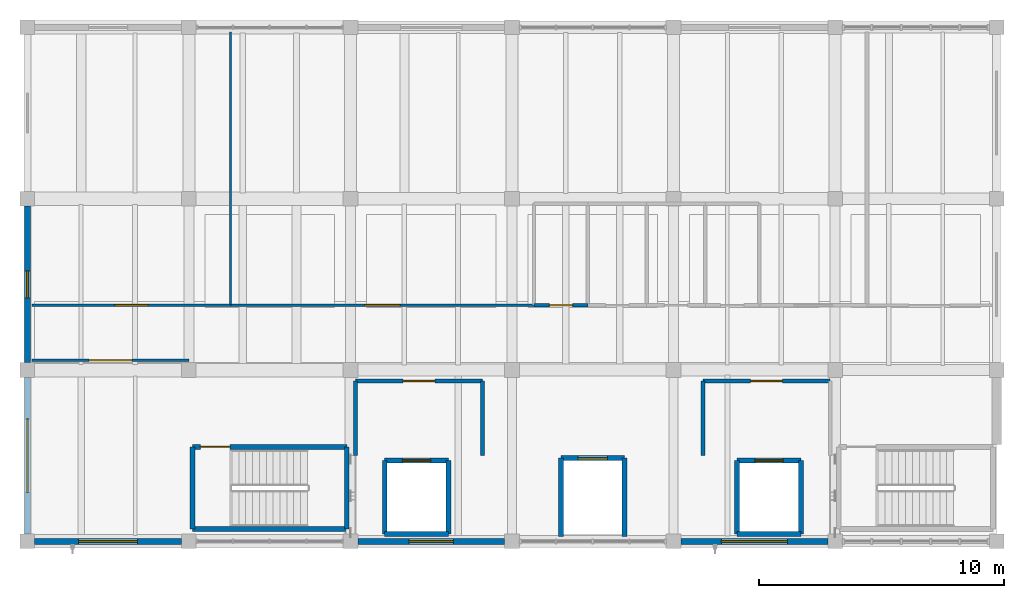
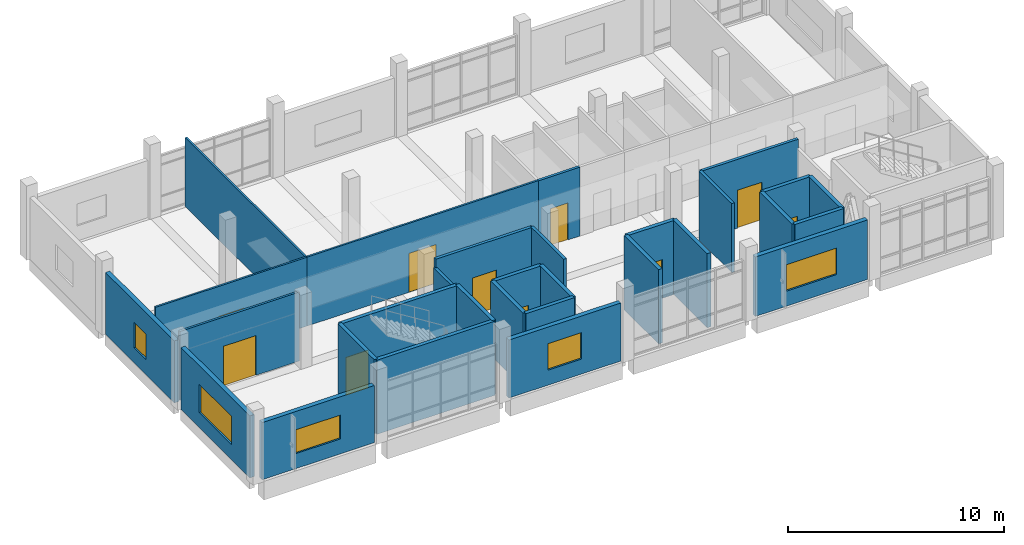
# One storey, part 9 of 14: 30 walls, 10 doors, 5 windows, 15 openings.
"""IFC4 building model written with IfcOpenShell, lengths in metres."""

from ifc_helpers import new_model, si_unit, direction, frame, frame_2d, origin, place, context, subcontext, project, spatial, rectangle, extrude, material, layer, layer_set, type_object, element, fill, save


model = new_model("IFC4")

# Units and contexts
model_context = context("Model", 3, precision=1e-05, world=origin(), true_north=direction((0.0, 1.0)))
body_context = subcontext(model_context, "Body", "Model", "MODEL_VIEW")
ifc_project = project(units=[si_unit("LENGTHUNIT", "METRE"), si_unit("AREAUNIT", "SQUARE_METRE"), si_unit("VOLUMEUNIT", "CUBIC_METRE"), si_unit("PLANEANGLEUNIT", "RADIAN"), si_unit("MASSUNIT", "GRAM", prefix="KILO")], contexts=[model_context])

# Site, building, storey
site_placement = place(None, origin())
site = spatial("IfcSite", under=ifc_project, at=site_placement, CompositionType="ELEMENT")
building_placement = place(site_placement, origin())
building = spatial("IfcBuilding", under=site, at=building_placement, Name="Ciguamira Faculty of Natural Sciences", CompositionType="ELEMENT")
storey_placement = place(building_placement, frame((0.0, 0.0, 33.60009765625)))
storey = spatial("IfcBuildingStorey", under=building, at=storey_placement, Name="L08", CompositionType="ELEMENT", Elevation=33.60009765625)

# Wall, opening, window
ifc_material_1 = material(Name="Precast concrete C40/50", Category="concrete")
ifc_layer_1 = layer(ifc_material_1, 0.239990234375, Name="Precast concrete C40/50")
ifc_layer_set_1 = layer_set([ifc_layer_1], Name="Precast concrete C40/50")
wall_type_1 = type_object("IfcWallType", Name="ExtWall_EW-02_240", PredefinedType="SOLIDWALL", material=ifc_layer_set_1)
wall_1_placement = place(storey_placement, frame((64.199951171875, 94.0, 0.0), z_axis=(0.0, 0.0, 1.0), x_axis=(1.0, 0.0, 0.0)))
wall_1 = element("IfcWall", 1, at=wall_1_placement, inside=storey, type_object=wall_type_1, Name="L08 exterior wall 0373", PredefinedType="SOLIDWALL", context=body_context, shape_type="SweptSolid", body=[
    extrude(rectangle(XDim=6.0, YDim=0.239990234375, at=frame_2d((3.0, 0.0))), origin(), (0.0, 0.0, 1.0), 3.23486328125),
])
opening_1_placement = place(wall_1_placement, frame((1.800048828125, 0.0, 0.85009765625)))
opening_1 = element("IfcOpeningElement", 2, at=opening_1_placement, cuts=wall_1, Name="Opening WT-07", PredefinedType="OPENING", context=body_context, shape_type="SweptSolid", body=[
    extrude(rectangle(XDim=2.39990234375, YDim=1.35009765625, at=frame_2d((1.199951171875, 0.675048828125))), frame((0.0, 0.1298828125, 0.0), z_axis=(0.0, -1.0, 0.0), x_axis=(1.0, 0.0, 0.0)), (0.0, 0.0, 1.0), 0.260009765625),
])
ifc_material_2 = material(Name="Hurricane laminated solar glass", Category="glass")
window_type_1 = type_object("IfcWindowType", Name="Window_WT-07_2400x1350", PartitioningType="DOUBLE_PANEL_VERTICAL", PredefinedType="WINDOW", material=ifc_material_2)
window_1_placement = place(opening_1_placement, origin())
window_1 = element("IfcWindow", 3, at=window_1_placement, inside=storey, type_object=window_type_1, Name="L08 facade window 0260", OverallHeight=1.35009765625, OverallWidth=2.39990234375, PartitioningType="SINGLE_PANEL", PredefinedType="WINDOW", context=body_context, shape_type="SweptSolid", body=[
    extrude(rectangle(XDim=2.39990234375, YDim=1.35009765625, at=frame_2d((1.199951171875, 0.675048828125))), frame((0.0, 0.030029296875, 0.0), z_axis=(0.0, -1.0, 0.0), x_axis=(1.0, 0.0, 0.0)), (0.0, 0.0, 1.0), 0.06005859375),
])
fill(opening_1, window_1)

wall_2_placement = place(storey_placement, frame((77.39990234375, 94.0, 0.0), z_axis=(0.0, 0.0, 1.0), x_axis=(1.0, 0.0, 0.0)))
wall_2 = element("IfcWall", 4, at=wall_2_placement, inside=storey, type_object=wall_type_1, Name="L08 exterior wall 0374", PredefinedType="SOLIDWALL", context=body_context, shape_type="SweptSolid", body=[
    extrude(rectangle(XDim=6.0, YDim=0.239990234375, at=frame_2d((3.0, 0.0))), origin(), (0.0, 0.0, 1.0), 3.284912109375),
])
opening_2_placement = place(wall_2_placement, frame((2.10009765625, 0.0, 0.85009765625)))
opening_2 = element("IfcOpeningElement", 5, at=opening_2_placement, cuts=wall_2, Name="Opening WT-10", PredefinedType="OPENING", context=body_context, shape_type="SweptSolid", body=[
    extrude(rectangle(XDim=1.800048828125, YDim=1.5, at=frame_2d((0.89990234375, 0.75))), frame((0.0, 0.1298828125, 0.0), z_axis=(0.0, -1.0, 0.0), x_axis=(1.0, 0.0, 0.0)), (0.0, 0.0, 1.0), 0.260009765625),
])
window_type_2 = type_object("IfcWindowType", Name="Window_WT-10_1800x1500", PartitioningType="DOUBLE_PANEL_VERTICAL", PredefinedType="WINDOW", material=ifc_material_2)
window_2_placement = place(opening_2_placement, origin())
window_2 = element("IfcWindow", 6, at=window_2_placement, inside=storey, type_object=window_type_2, Name="L08 facade window 0261", OverallHeight=1.5, OverallWidth=1.800048828125, PartitioningType="SINGLE_PANEL", PredefinedType="WINDOW", context=body_context, shape_type="SweptSolid", body=[
    extrude(rectangle(XDim=1.800048828125, YDim=1.5, at=frame_2d((0.89990234375, 0.75))), frame((0.0, 0.030029296875, 0.0), z_axis=(0.0, -1.0, 0.0), x_axis=(1.0, 0.0, 0.0)), (0.0, 0.0, 1.0), 0.06005859375),
])
fill(opening_2, window_2)

wall_3_placement = place(storey_placement, frame((90.60009765625, 94.0, 0.0), z_axis=(0.0, 0.0, 1.0), x_axis=(1.0, 0.0, 0.0)))
wall_3 = element("IfcWall", 7, at=wall_3_placement, inside=storey, type_object=wall_type_1, Name="L08 exterior wall 0375", PredefinedType="SOLIDWALL", context=body_context, shape_type="SweptSolid", body=[
    extrude(rectangle(XDim=6.0, YDim=0.239990234375, at=frame_2d((3.0, 0.0))), origin(), (0.0, 0.0, 1.0), 3.364990234375),
])
opening_3_placement = place(wall_3_placement, frame((1.64990234375, 0.0, 0.85009765625)))
opening_3 = element("IfcOpeningElement", 8, at=opening_3_placement, cuts=wall_3, Name="Opening WT-13", PredefinedType="OPENING", context=body_context, shape_type="SweptSolid", body=[
    extrude(rectangle(XDim=2.699951171875, YDim=1.5, at=frame_2d((1.35009765625, 0.75))), frame((0.0, 0.1298828125, 0.0), z_axis=(0.0, -1.0, 0.0), x_axis=(1.0, 0.0, 0.0)), (0.0, 0.0, 1.0), 0.260009765625),
])
window_type_3 = type_object("IfcWindowType", Name="Window_WT-13_2700x1500", PartitioningType="DOUBLE_PANEL_VERTICAL", PredefinedType="WINDOW", material=ifc_material_2)
window_3_placement = place(opening_3_placement, origin())
window_3 = element("IfcWindow", 9, at=window_3_placement, inside=storey, type_object=window_type_3, Name="L08 facade window 0262", OverallHeight=1.5, OverallWidth=2.699951171875, PartitioningType="SINGLE_PANEL", PredefinedType="WINDOW", context=body_context, shape_type="SweptSolid", body=[
    extrude(rectangle(XDim=2.699951171875, YDim=1.5, at=frame_2d((1.35009765625, 0.75))), frame((0.0, 0.030029296875, 0.0), z_axis=(0.0, -1.0, 0.0), x_axis=(1.0, 0.0, 0.0)), (0.0, 0.0, 1.0), 0.06005859375),
])
fill(opening_3, window_3)

wall_4_placement = place(storey_placement, frame((63.89990234375, 94.300048828125, 0.0), z_axis=(0.0, 0.0, 1.0), x_axis=(0.0, 1.0, 0.0)))
wall_4 = element("IfcWall", 10, at=wall_4_placement, inside=storey, type_object=wall_type_1, Name="L08 exterior wall 0379", PredefinedType="SOLIDWALL", context=body_context, shape_type="SweptSolid", body=[
    extrude(rectangle(XDim=6.39990234375, YDim=0.239990234375, at=frame_2d((3.199951171875, 0.0))), origin(), (0.0, 0.0, 1.0), 3.5048828125),
])
opening_4_placement = place(wall_4_placement, frame((1.699951171875, 0.0, 0.85009765625)))
opening_4 = element("IfcOpeningElement", 11, at=opening_4_placement, cuts=wall_4, Name="Opening WT-25", PredefinedType="OPENING", context=body_context, shape_type="SweptSolid", body=[
    extrude(rectangle(XDim=3.0, YDim=1.60009765625, at=frame_2d((1.5, 0.800048828125))), frame((0.0, 0.1298828125, 0.0), z_axis=(0.0, -1.0, 0.0), x_axis=(1.0, 0.0, 0.0)), (0.0, 0.0, 1.0), 0.260009765625),
])
window_type_4 = type_object("IfcWindowType", Name="Window_WT-25_3000x1600", PartitioningType="DOUBLE_PANEL_VERTICAL", PredefinedType="WINDOW", material=ifc_material_2)
window_4_placement = place(opening_4_placement, origin())
window_4 = element("IfcWindow", 12, at=window_4_placement, inside=storey, type_object=window_type_4, Name="L08 facade window 0266", OverallHeight=1.60009765625, OverallWidth=3.0, PartitioningType="SINGLE_PANEL", PredefinedType="WINDOW", context=body_context, shape_type="SweptSolid", body=[
    extrude(rectangle(XDim=3.0, YDim=1.60009765625, at=frame_2d((1.5, 0.800048828125))), frame((0.0, 0.030029296875, 0.0), z_axis=(0.0, -1.0, 0.0), x_axis=(1.0, 0.0, 0.0)), (0.0, 0.0, 1.0), 0.06005859375),
])
fill(opening_4, window_4)

wall_5_placement = place(storey_placement, frame((63.89990234375, 101.300048828125, 0.0), z_axis=(0.0, 0.0, 1.0), x_axis=(0.0, 1.0, 0.0)))
wall_5 = element("IfcWall", 13, at=wall_5_placement, inside=storey, type_object=wall_type_1, Name="L08 exterior wall 0380", PredefinedType="SOLIDWALL", context=body_context, shape_type="SweptSolid", body=[
    extrude(rectangle(XDim=6.39990234375, YDim=0.239990234375, at=frame_2d((3.199951171875, 0.0))), origin(), (0.0, 0.0, 1.0), 3.5048828125),
])
opening_5_placement = place(wall_5_placement, frame((2.64990234375, 0.0, 0.85009765625)))
opening_5 = element("IfcOpeningElement", 14, at=opening_5_placement, cuts=wall_5, Name="Opening WT-27", PredefinedType="OPENING", context=body_context, shape_type="SweptSolid", body=[
    extrude(rectangle(XDim=1.10009765625, YDim=1.449951171875, at=frame_2d((0.550048828125, 0.72509765625))), frame((0.0, 0.1298828125, 0.0), z_axis=(0.0, -1.0, 0.0), x_axis=(1.0, 0.0, 0.0)), (0.0, 0.0, 1.0), 0.260009765625),
])
window_type_5 = type_object("IfcWindowType", Name="Window_WT-27_1100x1450", PartitioningType="DOUBLE_PANEL_VERTICAL", PredefinedType="WINDOW", material=ifc_material_2)
window_5_placement = place(opening_5_placement, origin())
window_5 = element("IfcWindow", 15, at=window_5_placement, inside=storey, type_object=window_type_5, Name="L08 facade window 0267", OverallHeight=1.449951171875, OverallWidth=1.10009765625, PartitioningType="SINGLE_PANEL", PredefinedType="WINDOW", context=body_context, shape_type="SweptSolid", body=[
    extrude(rectangle(XDim=1.10009765625, YDim=1.449951171875, at=frame_2d((0.550048828125, 0.72509765625))), frame((0.0, 0.030029296875, 0.0), z_axis=(0.0, -1.0, 0.0), x_axis=(1.0, 0.0, 0.0)), (0.0, 0.0, 1.0), 0.06005859375),
])
fill(opening_5, window_5)

# Wall
ifc_material_3 = material(Name="Concrete C40/50", Category="concrete")
ifc_layer_2 = layer(ifc_material_3, 0.199951171875, Name="Concrete C40/50")
ifc_layer_set_2 = layer_set([ifc_layer_2], Name="Concrete C40/50")
wall_type_2 = type_object("IfcWallType", Name="IntWall_CW-S20_200", PredefinedType="SHEAR", material=ifc_layer_set_2)
wall_6_placement = place(storey_placement, frame((70.64990234375, 94.5, 0.0), z_axis=(0.0, 0.0, 1.0), x_axis=(1.0, 0.0, 0.0)))
element("IfcWall", 16, at=wall_6_placement, inside=storey, type_object=wall_type_2, Name="L08 ST-T1 core shear wall south", PredefinedType="SHEAR", context=body_context, shape_type="SweptSolid", body=[
    extrude(rectangle(XDim=6.300048828125, YDim=0.199951171875, at=frame_2d((3.14990234375, 0.0))), origin(), (0.0, 0.0, 1.0), 4.199951171875),
])

# Wall, opening, door
wall_7_placement = place(storey_placement, frame((70.64990234375, 97.860107421875, 0.0), z_axis=(0.0, 0.0, 1.0), x_axis=(1.0, 0.0, 0.0)))
wall_7 = element("IfcWall", 17, at=wall_7_placement, inside=storey, type_object=wall_type_2, Name="L08 ST-T1 core shear wall north", PredefinedType="SHEAR", context=body_context, shape_type="SweptSolid", body=[
    extrude(rectangle(XDim=6.300048828125, YDim=0.199951171875, at=frame_2d((3.14990234375, 0.0))), origin(), (0.0, 0.0, 1.0), 4.199951171875),
])
opening_6_placement = place(wall_7_placement, frame((0.320068359375, 0.0, 0.0)))
opening_6 = element("IfcOpeningElement", 18, at=opening_6_placement, cuts=wall_7, Name="Opening ID-14", PredefinedType="OPENING", context=body_context, shape_type="SweptSolid", body=[
    extrude(rectangle(XDim=1.199951171875, YDim=2.14990234375, at=frame_2d((0.60009765625, 1.074951171875))), frame((0.0, 0.10986328125, 0.0), z_axis=(0.0, -1.0, 0.0), x_axis=(1.0, 0.0, 0.0)), (0.0, 0.0, 1.0), 0.219970703125),
])
ifc_material_4 = material(Name="Protected exit stair fire door")
door_type_1 = type_object("IfcDoorType", Name="IntDoor_ID-14_1200x2150", OperationType="NOTDEFINED", PredefinedType="DOOR", material=ifc_material_4)
door_1_placement = place(opening_6_placement, frame((1.199951171875, 0.0, 0.0), z_axis=(0.0, 0.0, 1.0), x_axis=(-1.0, 0.0, 0.0)))
door_1 = element("IfcDoor", 19, at=door_1_placement, inside=storey, type_object=door_type_1, Name="L08 ST-T1 exit stair fire door", OperationType="SINGLE_SWING_RIGHT", OverallHeight=2.14990234375, OverallWidth=1.199951171875, PredefinedType="DOOR", context=body_context, shape_type="SweptSolid", body=[
    extrude(rectangle(XDim=1.199951171875, YDim=2.14990234375, at=frame_2d((0.60009765625, 1.074951171875))), frame((0.0, 0.02490234375, 0.0), z_axis=(0.0, -1.0, 0.0), x_axis=(1.0, 0.0, 0.0)), (0.0, 0.0, 1.0), 0.050048828125),
])
fill(opening_6, door_1)

# Walls
for number, where, z_axis, x_axis, name in (
    (20, (70.64990234375, 94.5, 0.0), (0.0, 0.0, 1.0), (0.0, 1.0, 0.0), "L08 ST-T1 core shear wall west"),
    (21, (76.949951171875, 94.5, 0.0), (0.0, 0.0, 1.0), (0.0, 1.0, 0.0), "L08 ST-T1 core shear wall east"),
):
    element("IfcWall", number, at=place(storey_placement, frame(where, z_axis=z_axis, x_axis=x_axis)), inside=storey, type_object=wall_type_2, Name=name, PredefinedType="SHEAR", context=body_context, shape_type="SweptSolid", body=[
        extrude(rectangle(XDim=3.360107421875, YDim=0.199951171875, at=frame_2d((1.68017578125, 0.0))), origin(), (0.0, 0.0, 1.0), 4.199951171875),
    ])
wall_8_placement = place(storey_placement, frame((78.5, 94.300048828125, 0.0), z_axis=(0.0, 0.0, 1.0), x_axis=(1.0, 0.0, 0.0)))
element("IfcWall", 22, at=wall_8_placement, inside=storey, type_object=wall_type_2, Name="L08 EL-FF1 hoistway wall south", PredefinedType="SHEAR", context=body_context, shape_type="SweptSolid", body=[
    extrude(rectangle(XDim=2.60009765625, YDim=0.199951171875, at=frame_2d((1.300048828125, 0.0))), origin(), (0.0, 0.0, 1.0), 4.199951171875),
])

# Wall, opening, door
wall_9_placement = place(storey_placement, frame((78.5, 97.300048828125, 0.0), z_axis=(0.0, 0.0, 1.0), x_axis=(1.0, 0.0, 0.0)))
wall_9 = element("IfcWall", 23, at=wall_9_placement, inside=storey, type_object=wall_type_2, Name="L08 EL-FF1 hoistway wall north", PredefinedType="SHEAR", context=body_context, shape_type="SweptSolid", body=[
    extrude(rectangle(XDim=2.60009765625, YDim=0.199951171875, at=frame_2d((1.300048828125, 0.0))), origin(), (0.0, 0.0, 1.0), 4.199951171875),
])
opening_7_placement = place(wall_9_placement, frame((0.72509765625, 0.0, 0.0)))
opening_7 = element("IfcOpeningElement", 24, at=opening_7_placement, cuts=wall_9, Name="Opening LD-03", PredefinedType="OPENING", context=body_context, shape_type="SweptSolid", body=[
    extrude(rectangle(XDim=1.14990234375, YDim=2.199951171875, at=frame_2d((0.574951171875, 1.10009765625))), frame((0.0, 0.10986328125, 0.0), z_axis=(0.0, -1.0, 0.0), x_axis=(1.0, 0.0, 0.0)), (0.0, 0.0, 1.0), 0.219970703125),
])
ifc_material_5 = material(Name="Firefighting lift sliding landing door")
door_type_2 = type_object("IfcDoorType", Name="LiftLandingDoor_LD-03_1150x2200", OperationType="SLIDING_TO_LEFT", PredefinedType="DOOR", material=ifc_material_5)
door_2_placement = place(opening_7_placement, origin())
door_2 = element("IfcDoor", 25, at=door_2_placement, inside=storey, type_object=door_type_2, Name="L08 EL-FF1 elevator landing sliding door", OperationType="SLIDING_TO_LEFT", OverallHeight=2.199951171875, OverallWidth=1.14990234375, PredefinedType="DOOR", context=body_context, shape_type="SweptSolid", body=[
    extrude(rectangle(XDim=1.14990234375, YDim=2.199951171875, at=frame_2d((0.574951171875, 1.10009765625))), frame((0.0, 0.02490234375, 0.0), z_axis=(0.0, -1.0, 0.0), x_axis=(1.0, 0.0, 0.0)), (0.0, 0.0, 1.0), 0.050048828125),
])
fill(opening_7, door_2)

# Walls
for number, where, z_axis, x_axis, name in (
    (26, (78.5, 94.300048828125, 0.0), (0.0, 0.0, 1.0), (0.0, 1.0, 0.0), "L08 EL-FF1 hoistway wall west"),
    (27, (81.10009765625, 94.300048828125, 0.0), (0.0, 0.0, 1.0), (0.0, 1.0, 0.0), "L08 EL-FF1 hoistway wall east"),
):
    element("IfcWall", number, at=place(storey_placement, frame(where, z_axis=z_axis, x_axis=x_axis)), inside=storey, type_object=wall_type_2, Name=name, PredefinedType="SHEAR", context=body_context, shape_type="SweptSolid", body=[
        extrude(rectangle(XDim=3.0, YDim=0.199951171875, at=frame_2d((1.5, 0.0))), origin(), (0.0, 0.0, 1.0), 4.199951171875),
    ])
wall_10_placement = place(storey_placement, frame((92.89990234375, 94.300048828125, 0.0), z_axis=(0.0, 0.0, 1.0), x_axis=(1.0, 0.0, 0.0)))
element("IfcWall", 28, at=wall_10_placement, inside=storey, type_object=wall_type_2, Name="L08 EL-FF2 hoistway wall south", PredefinedType="SHEAR", context=body_context, shape_type="SweptSolid", body=[
    extrude(rectangle(XDim=2.60009765625, YDim=0.199951171875, at=frame_2d((1.300048828125, 0.0))), origin(), (0.0, 0.0, 1.0), 4.199951171875),
])

# Wall, opening, door
wall_11_placement = place(storey_placement, frame((92.89990234375, 97.300048828125, 0.0), z_axis=(0.0, 0.0, 1.0), x_axis=(1.0, 0.0, 0.0)))
wall_11 = element("IfcWall", 29, at=wall_11_placement, inside=storey, type_object=wall_type_2, Name="L08 EL-FF2 hoistway wall north", PredefinedType="SHEAR", context=body_context, shape_type="SweptSolid", body=[
    extrude(rectangle(XDim=2.60009765625, YDim=0.199951171875, at=frame_2d((1.300048828125, 0.0))), origin(), (0.0, 0.0, 1.0), 4.199951171875),
])
opening_8_placement = place(wall_11_placement, frame((0.72509765625, 0.0, 0.0)))
opening_8 = element("IfcOpeningElement", 30, at=opening_8_placement, cuts=wall_11, Name="Opening LD-03", PredefinedType="OPENING", context=body_context, shape_type="SweptSolid", body=[
    extrude(rectangle(XDim=1.14990234375, YDim=2.199951171875, at=frame_2d((0.574951171875, 1.10009765625))), frame((0.0, 0.10986328125, 0.0), z_axis=(0.0, -1.0, 0.0), x_axis=(1.0, 0.0, 0.0)), (0.0, 0.0, 1.0), 0.219970703125),
])
door_3_placement = place(opening_8_placement, origin())
door_3 = element("IfcDoor", 31, at=door_3_placement, inside=storey, type_object=door_type_2, Name="L08 EL-FF2 elevator landing sliding door", OperationType="SLIDING_TO_LEFT", OverallHeight=2.199951171875, OverallWidth=1.14990234375, PredefinedType="DOOR", context=body_context, shape_type="SweptSolid", body=[
    extrude(rectangle(XDim=1.14990234375, YDim=2.199951171875, at=frame_2d((0.574951171875, 1.10009765625))), frame((0.0, 0.02490234375, 0.0), z_axis=(0.0, -1.0, 0.0), x_axis=(1.0, 0.0, 0.0)), (0.0, 0.0, 1.0), 0.050048828125),
])
fill(opening_8, door_3)

# Walls
for number, where, z_axis, x_axis, name in (
    (32, (92.89990234375, 94.300048828125, 0.0), (0.0, 0.0, 1.0), (0.0, 1.0, 0.0), "L08 EL-FF2 hoistway wall west"),
    (33, (95.5, 94.300048828125, 0.0), (0.0, 0.0, 1.0), (0.0, 1.0, 0.0), "L08 EL-FF2 hoistway wall east"),
):
    element("IfcWall", number, at=place(storey_placement, frame(where, z_axis=z_axis, x_axis=x_axis)), inside=storey, type_object=wall_type_2, Name=name, PredefinedType="SHEAR", context=body_context, shape_type="SweptSolid", body=[
        extrude(rectangle(XDim=3.0, YDim=0.199951171875, at=frame_2d((1.5, 0.0))), origin(), (0.0, 0.0, 1.0), 4.199951171875),
    ])

# Wall, opening, door
wall_12_placement = place(storey_placement, frame((85.699951171875, 97.39990234375, 0.0), z_axis=(0.0, 0.0, 1.0), x_axis=(1.0, 0.0, 0.0)))
wall_12 = element("IfcWall", 34, at=wall_12_placement, inside=storey, type_object=wall_type_2, Name="L08 EL-P1 hoistway wall north", PredefinedType="SHEAR", context=body_context, shape_type="SweptSolid", body=[
    extrude(rectangle(XDim=2.60009765625, YDim=0.199951171875, at=frame_2d((1.300048828125, 0.0))), origin(), (0.0, 0.0, 1.0), 4.199951171875),
])
opening_9_placement = place(wall_12_placement, frame((0.699951171875, 0.0, 0.0)))
opening_9 = element("IfcOpeningElement", 35, at=opening_9_placement, cuts=wall_12, Name="Opening LD-02", PredefinedType="OPENING", context=body_context, shape_type="SweptSolid", body=[
    extrude(rectangle(XDim=1.199951171875, YDim=2.199951171875, at=frame_2d((0.60009765625, 1.10009765625))), frame((0.0, 0.10986328125, 0.0), z_axis=(0.0, -1.0, 0.0), x_axis=(1.0, 0.0, 0.0)), (0.0, 0.0, 1.0), 0.219970703125),
])
ifc_material_6 = material(Name="Stretcher elevator sliding landing door")
door_type_3 = type_object("IfcDoorType", Name="LiftLandingDoor_LD-02_1200x2200", OperationType="SLIDING_TO_LEFT", PredefinedType="DOOR", material=ifc_material_6)
door_4_placement = place(opening_9_placement, origin())
door_4 = element("IfcDoor", 36, at=door_4_placement, inside=storey, type_object=door_type_3, Name="L08 EL-P1 elevator landing sliding door", OperationType="SLIDING_TO_LEFT", OverallHeight=2.199951171875, OverallWidth=1.199951171875, PredefinedType="DOOR", context=body_context, shape_type="SweptSolid", body=[
    extrude(rectangle(XDim=1.199951171875, YDim=2.199951171875, at=frame_2d((0.60009765625, 1.10009765625))), frame((0.0, 0.02490234375, 0.0), z_axis=(0.0, -1.0, 0.0), x_axis=(1.0, 0.0, 0.0)), (0.0, 0.0, 1.0), 0.050048828125),
])
fill(opening_9, door_4)

# Walls
for number, where, z_axis, x_axis, name in (
    (37, (85.699951171875, 94.199951171875, 0.0), (0.0, 0.0, 1.0), (0.0, 1.0, 0.0), "L08 EL-P1 hoistway wall west"),
    (38, (88.300048828125, 94.199951171875, 0.0), (0.0, 0.0, 1.0), (0.0, 1.0, 0.0), "L08 EL-P1 hoistway wall east"),
):
    element("IfcWall", number, at=place(storey_placement, frame(where, z_axis=z_axis, x_axis=x_axis)), inside=storey, type_object=wall_type_2, Name=name, PredefinedType="SHEAR", context=body_context, shape_type="SweptSolid", body=[
        extrude(rectangle(XDim=3.199951171875, YDim=0.199951171875, at=frame_2d((1.60009765625, 0.0))), origin(), (0.0, 0.0, 1.0), 4.199951171875),
    ])

# Wall, opening, door
ifc_material_7 = material(Name="Fire-rated gypsum partition")
ifc_layer_3 = layer(ifc_material_7, 0.10009765625, Name="Fire-rated gypsum partition")
ifc_layer_set_3 = layer_set([ifc_layer_3], Name="Fire-rated gypsum partition")
wall_type_3 = type_object("IfcWallType", Name="IntWall_IW-A10_100", PredefinedType="PARTITIONING", material=ifc_layer_set_3)
wall_13_placement = place(storey_placement, frame((64.10009765625, 103.64990234375, 0.0), z_axis=(0.0, 0.0, 1.0), x_axis=(1.0, 0.0, 0.0)))
wall_13 = element("IfcWall", 39, at=wall_13_placement, inside=storey, type_object=wall_type_3, Name="L08 Atmospheric Physics Observatory Lab partition south", PredefinedType="PARTITIONING", context=body_context, shape_type="SweptSolid", body=[
    extrude(rectangle(XDim=8.099853515625, YDim=0.10009765625, at=frame_2d((4.0498046875, 0.0))), origin(), (0.0, 0.0, 1.0), 3.89990234375),
])
opening_10_placement = place(wall_13_placement, frame((3.375, 0.0, 0.0)))
opening_10 = element("IfcOpeningElement", 40, at=opening_10_placement, cuts=wall_13, Name="Opening ID-07", PredefinedType="OPENING", context=body_context, shape_type="SweptSolid", body=[
    extrude(rectangle(XDim=1.35009765625, YDim=2.199951171875, at=frame_2d((0.675048828125, 1.10009765625))), frame((0.0, 0.06005859375, 0.0), z_axis=(0.0, -1.0, 0.0), x_axis=(1.0, 0.0, 0.0)), (0.0, 0.0, 1.0), 0.1201171875),
])
ifc_material_8 = material(Name="Laboratory prep fire door")
door_type_4 = type_object("IfcDoorType", Name="IntDoor_ID-07_1350x2200", OperationType="NOTDEFINED", PredefinedType="DOOR", material=ifc_material_8)
door_5_placement = place(opening_10_placement, origin())
door_5 = element("IfcDoor", 41, at=door_5_placement, inside=storey, type_object=door_type_4, Name="L08 Atmospheric Physics Observatory Lab door", OperationType="SINGLE_SWING_LEFT", OverallHeight=2.199951171875, OverallWidth=1.35009765625, PredefinedType="DOOR", context=body_context, shape_type="SweptSolid", body=[
    extrude(rectangle(XDim=1.35009765625, YDim=2.199951171875, at=frame_2d((0.675048828125, 1.10009765625))), frame((0.0, 0.02490234375, 0.0), z_axis=(0.0, -1.0, 0.0), x_axis=(1.0, 0.0, 0.0)), (0.0, 0.0, 1.0), 0.050048828125),
])
fill(opening_10, door_5)

# Wall
wall_14_placement = place(storey_placement, frame((72.199951171875, 103.64990234375, 0.0), z_axis=(0.0, 0.0, 1.0), x_axis=(0.0, 1.0, 0.0)))
element("IfcWall", 42, at=wall_14_placement, inside=storey, type_object=wall_type_3, Name="L08 Atmospheric Physics Observatory Lab partition east", PredefinedType="PARTITIONING", context=body_context, shape_type="SweptSolid", body=[
    extrude(rectangle(XDim=11.150146484375, YDim=0.10009765625, at=frame_2d((5.5751953125, 0.0))), origin(), (0.0, 0.0, 1.0), 3.89990234375),
])

# Wall, opening, door
wall_15_placement = place(storey_placement, frame((72.199951171875, 103.64990234375, 0.0), z_axis=(0.0, 0.0, 1.0), x_axis=(1.0, 0.0, 0.0)))
wall_15 = element("IfcWall", 43, at=wall_15_placement, inside=storey, type_object=wall_type_3, Name="L08 Tropical Cyclone Meteorology Studio partition south", PredefinedType="PARTITIONING", context=body_context, shape_type="SweptSolid", body=[
    extrude(rectangle(XDim=12.400146484375, YDim=0.10009765625, at=frame_2d((6.2001953125, 0.0))), origin(), (0.0, 0.0, 1.0), 3.89990234375),
])
opening_11_placement = place(wall_15_placement, frame((5.47509765625, 0.0, 0.0)))
opening_11 = element("IfcOpeningElement", 44, at=opening_11_placement, cuts=wall_15, Name="Opening ID-08", PredefinedType="OPENING", context=body_context, shape_type="SweptSolid", body=[
    extrude(rectangle(XDim=1.449951171875, YDim=2.199951171875, at=frame_2d((0.72509765625, 1.10009765625))), frame((0.0, 0.06005859375, 0.0), z_axis=(0.0, -1.0, 0.0), x_axis=(1.0, 0.0, 0.0)), (0.0, 0.0, 1.0), 0.1201171875),
])
ifc_material_9 = material(Name="Wet chemistry laboratory door")
door_type_5 = type_object("IfcDoorType", Name="IntDoor_ID-08_1450x2200", OperationType="NOTDEFINED", PredefinedType="DOOR", material=ifc_material_9)
door_6_placement = place(opening_11_placement, origin())
door_6 = element("IfcDoor", 45, at=door_6_placement, inside=storey, type_object=door_type_5, Name="L08 Tropical Cyclone Meteorology Studio door", OperationType="SINGLE_SWING_RIGHT", OverallHeight=2.199951171875, OverallWidth=1.449951171875, PredefinedType="DOOR", context=body_context, shape_type="SweptSolid", body=[
    extrude(rectangle(XDim=1.449951171875, YDim=2.199951171875, at=frame_2d((0.72509765625, 1.10009765625))), frame((0.0, 0.02490234375, 0.0), z_axis=(0.0, -1.0, 0.0), x_axis=(1.0, 0.0, 0.0)), (0.0, 0.0, 1.0), 0.050048828125),
])
fill(opening_11, door_6)

ifc_material_10 = material(Name="Acoustic double-stud gypsum partition")
ifc_layer_4 = layer(ifc_material_10, 0.1201171875, Name="Acoustic double-stud gypsum partition")
ifc_layer_set_4 = layer_set([ifc_layer_4], Name="Acoustic double-stud gypsum partition")
wall_type_4 = type_object("IfcWallType", Name="IntWall_IW-A12_120", PredefinedType="PARTITIONING", material=ifc_layer_set_4)
wall_16_placement = place(storey_placement, frame((64.10009765625, 101.39990234375, 0.0), z_axis=(0.0, 0.0, 1.0), x_axis=(1.0, 0.0, 0.0)))
wall_16 = element("IfcWall", 46, at=wall_16_placement, inside=storey, type_object=wall_type_4, Name="L08 Physics Seminar Room partition north", PredefinedType="PARTITIONING", context=body_context, shape_type="SweptSolid", body=[
    extrude(rectangle(XDim=6.39990234375, YDim=0.1201171875, at=frame_2d((3.199951171875, 0.0))), origin(), (0.0, 0.0, 1.0), 3.89990234375),
])
opening_12_placement = place(wall_16_placement, frame((2.324951171875, 0.0, 0.0)))
opening_12 = element("IfcOpeningElement", 47, at=opening_12_placement, cuts=wall_16, Name="Opening ID-11", PredefinedType="OPENING", context=body_context, shape_type="SweptSolid", body=[
    extrude(rectangle(XDim=1.75, YDim=2.25, at=frame_2d((0.875, 1.125))), frame((0.0, 0.070068359375, 0.0), z_axis=(0.0, -1.0, 0.0), x_axis=(1.0, 0.0, 0.0)), (0.0, 0.0, 1.0), 0.14013671875),
])
ifc_material_11 = material(Name="Exhibition gallery double door")
door_type_6 = type_object("IfcDoorType", Name="IntDoor_ID-11_1750x2250", OperationType="NOTDEFINED", PredefinedType="DOOR", material=ifc_material_11)
door_7_placement = place(opening_12_placement, frame((1.75, 0.0, 0.0), z_axis=(0.0, 0.0, 1.0), x_axis=(-1.0, 0.0, 0.0)))
door_7 = element("IfcDoor", 48, at=door_7_placement, inside=storey, type_object=door_type_6, Name="L08 Physics Seminar Room door", OperationType="SINGLE_SWING_LEFT", OverallHeight=2.25, OverallWidth=1.75, PredefinedType="DOOR", context=body_context, shape_type="SweptSolid", body=[
    extrude(rectangle(XDim=1.75, YDim=2.25, at=frame_2d((0.875, 1.125))), frame((0.0, 0.02490234375, 0.0), z_axis=(0.0, -1.0, 0.0), x_axis=(1.0, 0.0, 0.0)), (0.0, 0.0, 1.0), 0.050048828125),
])
fill(opening_12, door_7)

ifc_material_12 = material(Name="Fire-rated blockwork wall", Category="masonry")
ifc_layer_5 = layer(ifc_material_12, 0.159912109375, Name="Fire-rated blockwork wall")
ifc_layer_set_5 = layer_set([ifc_layer_5], Name="Fire-rated blockwork wall")
wall_type_5 = type_object("IfcWallType", Name="IntWall_IW-F16_160", PredefinedType="SOLIDWALL", material=ifc_layer_set_5)
wall_17_placement = place(storey_placement, frame((77.300048828125, 100.550048828125, 0.0), z_axis=(0.0, 0.0, 1.0), x_axis=(1.0, 0.0, 0.0)))
wall_17 = element("IfcWall", 49, at=wall_17_placement, inside=storey, type_object=wall_type_5, Name="L08 Firefighting Lift Lobby 1 partition north", PredefinedType="SOLIDWALL", context=body_context, shape_type="SweptSolid", body=[
    extrude(rectangle(XDim=5.199951171875, YDim=0.159912109375, at=frame_2d((2.60009765625, 0.0))), origin(), (0.0, 0.0, 1.0), 3.89990234375),
])
opening_13_placement = place(wall_17_placement, frame((1.949951171875, 0.0, 0.0)))
opening_13 = element("IfcOpeningElement", 50, at=opening_13_placement, cuts=wall_17, Name="Opening ID-15", PredefinedType="OPENING", context=body_context, shape_type="SweptSolid", body=[
    extrude(rectangle(XDim=1.300048828125, YDim=2.14990234375, at=frame_2d((0.64990234375, 1.074951171875))), frame((0.0, 0.08984375, 0.0), z_axis=(0.0, -1.0, 0.0), x_axis=(1.0, 0.0, 0.0)), (0.0, 0.0, 1.0), 0.179931640625),
])
ifc_material_13 = material(Name="Firefighting lift lobby fire door")
door_type_7 = type_object("IfcDoorType", Name="IntDoor_ID-15_1300x2150", OperationType="NOTDEFINED", PredefinedType="DOOR", material=ifc_material_13)
door_8_placement = place(opening_13_placement, frame((1.300048828125, 0.0, 0.0), z_axis=(0.0, 0.0, 1.0), x_axis=(-1.0, 0.0, 0.0)))
door_8 = element("IfcDoor", 51, at=door_8_placement, inside=storey, type_object=door_type_7, Name="L08 Firefighting Lift Lobby 1 door", OperationType="SINGLE_SWING_LEFT", OverallHeight=2.14990234375, OverallWidth=1.300048828125, PredefinedType="DOOR", context=body_context, shape_type="SweptSolid", body=[
    extrude(rectangle(XDim=1.300048828125, YDim=2.14990234375, at=frame_2d((0.64990234375, 1.074951171875))), frame((0.0, 0.02490234375, 0.0), z_axis=(0.0, -1.0, 0.0), x_axis=(1.0, 0.0, 0.0)), (0.0, 0.0, 1.0), 0.050048828125),
])
fill(opening_13, door_8)

# Walls
wall_18_placement = place(storey_placement, frame((77.300048828125, 97.5, 0.0), z_axis=(0.0, 0.0, 1.0), x_axis=(0.0, 1.0, 0.0)))
element("IfcWall", 52, at=wall_18_placement, inside=storey, type_object=wall_type_5, Name="L08 Firefighting Lift Lobby 1 partition west", PredefinedType="SOLIDWALL", context=body_context, shape_type="SweptSolid", body=[
    extrude(rectangle(XDim=3.050048828125, YDim=0.159912109375, at=frame_2d((1.52490234375, 0.0))), origin(), (0.0, 0.0, 1.0), 3.40478515625),
])
wall_19_placement = place(storey_placement, frame((82.5, 97.5, 0.0), z_axis=(0.0, 0.0, 1.0), x_axis=(0.0, 1.0, 0.0)))
element("IfcWall", 53, at=wall_19_placement, inside=storey, type_object=wall_type_5, Name="L08 Firefighting Lift Lobby 1 partition east", PredefinedType="SOLIDWALL", context=body_context, shape_type="SweptSolid", body=[
    extrude(rectangle(XDim=3.050048828125, YDim=0.159912109375, at=frame_2d((1.52490234375, 0.0))), origin(), (0.0, 0.0, 1.0), 3.89990234375),
])

# Wall, opening, door
wall_20_placement = place(storey_placement, frame((91.5, 100.550048828125, 0.0), z_axis=(0.0, 0.0, 1.0), x_axis=(1.0, 0.0, 0.0)))
wall_20 = element("IfcWall", 54, at=wall_20_placement, inside=storey, type_object=wall_type_5, Name="L08 Firefighting Lift Lobby 2 partition north", PredefinedType="SOLIDWALL", context=body_context, shape_type="SweptSolid", body=[
    extrude(rectangle(XDim=5.199951171875, YDim=0.159912109375, at=frame_2d((2.60009765625, 0.0))), origin(), (0.0, 0.0, 1.0), 3.89990234375),
])
opening_14_placement = place(wall_20_placement, frame((1.949951171875, 0.0, 0.0)))
opening_14 = element("IfcOpeningElement", 55, at=opening_14_placement, cuts=wall_20, Name="Opening ID-15", PredefinedType="OPENING", context=body_context, shape_type="SweptSolid", body=[
    extrude(rectangle(XDim=1.300048828125, YDim=2.14990234375, at=frame_2d((0.64990234375, 1.074951171875))), frame((0.0, 0.08984375, 0.0), z_axis=(0.0, -1.0, 0.0), x_axis=(1.0, 0.0, 0.0)), (0.0, 0.0, 1.0), 0.179931640625),
])
door_9_placement = place(opening_14_placement, frame((1.300048828125, 0.0, 0.0), z_axis=(0.0, 0.0, 1.0), x_axis=(-1.0, 0.0, 0.0)))
door_9 = element("IfcDoor", 56, at=door_9_placement, inside=storey, type_object=door_type_7, Name="L08 Firefighting Lift Lobby 2 door", OperationType="SINGLE_SWING_RIGHT", OverallHeight=2.14990234375, OverallWidth=1.300048828125, PredefinedType="DOOR", context=body_context, shape_type="SweptSolid", body=[
    extrude(rectangle(XDim=1.300048828125, YDim=2.14990234375, at=frame_2d((0.64990234375, 1.074951171875))), frame((0.0, 0.02490234375, 0.0), z_axis=(0.0, -1.0, 0.0), x_axis=(1.0, 0.0, 0.0)), (0.0, 0.0, 1.0), 0.050048828125),
])
fill(opening_14, door_9)

# Wall
wall_21_placement = place(storey_placement, frame((91.5, 97.5, 0.0), z_axis=(0.0, 0.0, 1.0), x_axis=(0.0, 1.0, 0.0)))
element("IfcWall", 57, at=wall_21_placement, inside=storey, type_object=wall_type_5, Name="L08 Firefighting Lift Lobby 2 partition west", PredefinedType="SOLIDWALL", context=body_context, shape_type="SweptSolid", body=[
    extrude(rectangle(XDim=3.050048828125, YDim=0.159912109375, at=frame_2d((1.52490234375, 0.0))), origin(), (0.0, 0.0, 1.0), 3.89990234375),
])

# Wall, opening, door
ifc_material_14 = material(Name="Moisture-resistant service chase wall")
ifc_layer_6 = layer(ifc_material_14, 0.139892578125, Name="Moisture-resistant service chase wall")
ifc_layer_set_6 = layer_set([ifc_layer_6], Name="Moisture-resistant service chase wall")
wall_type_6 = type_object("IfcWallType", Name="IntWall_IW-P14_140", PredefinedType="PLUMBINGWALL", material=ifc_layer_set_6)
wall_22_placement = place(storey_placement, frame((84.60009765625, 103.64990234375, 0.0), z_axis=(0.0, 0.0, 1.0), x_axis=(1.0, 0.0, 0.0)))
wall_22 = element("IfcWall", 58, at=wall_22_placement, inside=storey, type_object=wall_type_6, Name="L08 Accessible WC partition south", PredefinedType="PLUMBINGWALL", context=body_context, shape_type="SweptSolid", body=[
    extrude(rectangle(XDim=2.199951171875, YDim=0.139892578125, at=frame_2d((1.10009765625, 0.0))), origin(), (0.0, 0.0, 1.0), 3.89990234375),
])
opening_15_placement = place(wall_22_placement, frame((0.625, 0.0, 0.0)))
opening_15 = element("IfcOpeningElement", 59, at=opening_15_placement, cuts=wall_22, Name="Opening ID-02", PredefinedType="OPENING", context=body_context, shape_type="SweptSolid", body=[
    extrude(rectangle(XDim=0.949951171875, YDim=2.10009765625, at=frame_2d((0.47509765625, 1.050048828125))), frame((0.0, 0.079833984375, 0.0), z_axis=(0.0, -1.0, 0.0), x_axis=(1.0, 0.0, 0.0)), (0.0, 0.0, 1.0), 0.159912109375),
])
ifc_material_15 = material(Name="Accessible WC outward-clear door")
door_type_8 = type_object("IfcDoorType", Name="IntDoor_ID-02_950x2100", OperationType="NOTDEFINED", PredefinedType="DOOR", material=ifc_material_15)
door_10_placement = place(opening_15_placement, origin())
door_10 = element("IfcDoor", 60, at=door_10_placement, inside=storey, type_object=door_type_8, Name="L08 Accessible WC door", OperationType="SINGLE_SWING_LEFT", OverallHeight=2.10009765625, OverallWidth=0.949951171875, PredefinedType="DOOR", context=body_context, shape_type="SweptSolid", body=[
    extrude(rectangle(XDim=0.949951171875, YDim=2.10009765625, at=frame_2d((0.47509765625, 1.050048828125))), frame((0.0, 0.02490234375, 0.0), z_axis=(0.0, -1.0, 0.0), x_axis=(1.0, 0.0, 0.0)), (0.0, 0.0, 1.0), 0.050048828125),
])
fill(opening_15, door_10)

save(model, "model.ifc")
